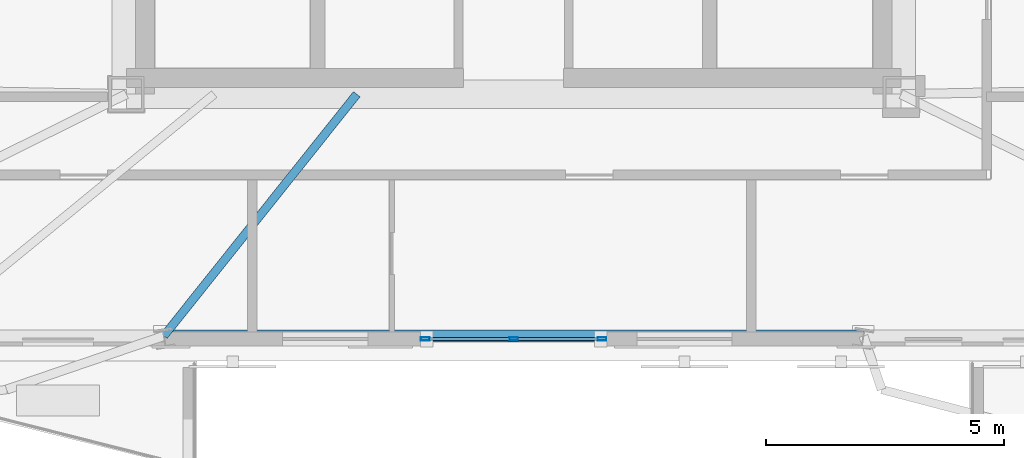
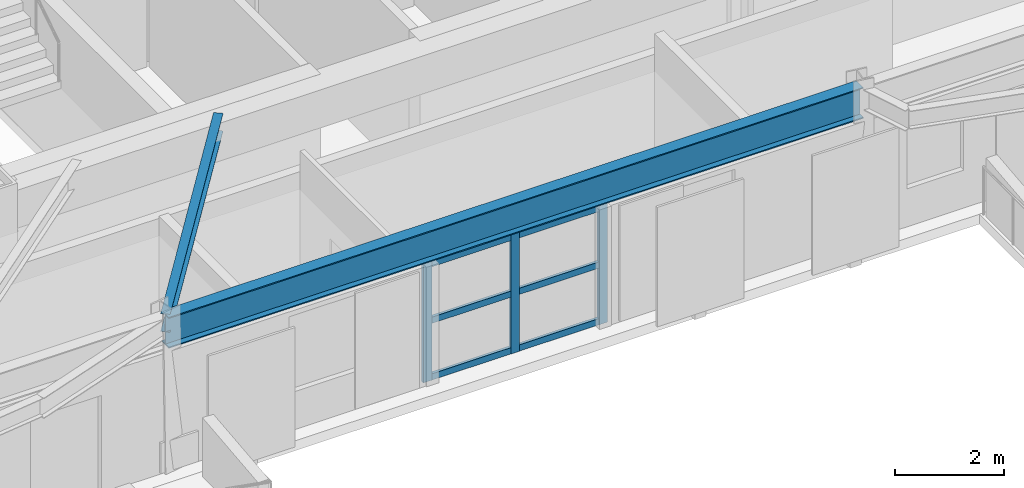
# One storey, part 2 of 12: 9 members, 2 beams, 1 element without a shape of its own.
"""IFC4 building model written with IfcOpenShell, lengths in metres."""

from ifc_helpers import new_model, si_unit, direction, frame, origin, origin_2d, place, context, subcontext, project, spatial, hollow_rectangle, i_section, extrude, material, layer, layer_set, material_profile, profile_set, type_object, element, aggregate, save


model = new_model("IFC4")

# Units and contexts
model_context = context("Model", 3, precision=1e-05, world=origin(), true_north=direction((0.0, 1.0)))
body_context = subcontext(model_context, "Body", "Model", "MODEL_VIEW")
ifc_project = project(units=[si_unit("LENGTHUNIT", "METRE"), si_unit("AREAUNIT", "SQUARE_METRE"), si_unit("VOLUMEUNIT", "CUBIC_METRE"), si_unit("PLANEANGLEUNIT", "RADIAN"), si_unit("MASSUNIT", "GRAM", prefix="KILO")], contexts=[model_context])

# Site, building, storey
site_placement = place(None, origin())
site = spatial("IfcSite", under=ifc_project, at=site_placement, CompositionType="ELEMENT")
building_placement = place(site_placement, origin())
building = spatial("IfcBuilding", under=site, at=building_placement, Name="Oramaril Tower", CompositionType="ELEMENT")
storey_placement = place(building_placement, frame((0.0, 0.0, 227.10009765625)))
storey = spatial("IfcBuildingStorey", under=building, at=storey_placement, Name="L60", CompositionType="ELEMENT", Elevation=227.10009765625)

# Beams
ifc_material_1 = material(Name="Steel ASTM A572 Gr 50", Category="steel")
ifc_material_profile_1 = material_profile(ifc_material_1, i_section(OverallWidth=0.177978515625, OverallDepth=0.404052734375, WebThickness=0.007568359375, FlangeThickness=0.010986328125, at=origin_2d()), Name="W16X36")
ifc_profile_set_1 = profile_set([ifc_material_profile_1], Name="Steel ASTM A572 Gr 50")
beam_type_1 = type_object("IfcBeamType", Name="BT-SB1", PredefinedType="BEAM", material=ifc_profile_set_1)
beam_1_placement = place(storey_placement, frame((34.199951171875, 11.0, 3.177978515625), z_axis=(-0.62376576314, -0.781611330991, 0.0), x_axis=(0.781611330991, -0.62376576314, 0.0)))
element("IfcBeam", 1, at=beam_1_placement, inside=storey, type_object=beam_type_1, Name="L60 Secondary Floor Beam SB-02", PredefinedType="BEAM", context=body_context, shape_type="SweptSolid", body=[
    extrude(i_section(OverallWidth=0.177978515625, OverallDepth=0.404052734375, WebThickness=0.007568359375, FlangeThickness=0.010986328125, at=origin_2d()), origin(), (0.0, 0.0, 1.0), 6.507080078125),
])
ifc_material_2 = material(Name="Steel ASTM A572 Gr 50", Category="steel")
ifc_material_profile_2 = material_profile(ifc_material_2, i_section(OverallWidth=0.257080078125, OverallDepth=0.693115234375, WebThickness=0.014404296875, FlangeThickness=0.023681640625, at=origin_2d()), Name="W27X114")
ifc_profile_set_2 = profile_set([ifc_material_profile_2], Name="Steel ASTM A572 Gr 50")
beam_type_2 = type_object("IfcBeamType", Name="BT-SP4", PredefinedType="SPANDREL", material=ifc_profile_set_2)
beam_2_placement = place(storey_placement, frame((30.14111328125, 5.9140625, 3.033447265625), z_axis=(1.0, 0.0, 0.0), x_axis=(0.0, 1.0, 0.0)))
element("IfcBeam", 2, at=beam_2_placement, inside=storey, type_object=beam_type_2, Name="L60 Perimeter Spandrel 04", PredefinedType="SPANDREL", context=body_context, shape_type="SweptSolid", body=[
    extrude(i_section(OverallWidth=0.257080078125, OverallDepth=0.693115234375, WebThickness=0.014404296875, FlangeThickness=0.023681640625, at=origin_2d()), origin(), (0.0, 0.0, 1.0), 14.7177734375),
])

# Curtain wall, members
ifc_material_3 = material(Name="Anodised Aluminium 6063-T6", Category="aluminium")
ifc_layer = layer(ifc_material_3, 0.179931640625)
ifc_layer_set = layer_set([ifc_layer], Name="CWT-SYS4")
curtain_wall_type = type_object("IfcCurtainWallType", Name="CWT-SYS4", PredefinedType="NOTDEFINED", material=ifc_layer_set)
curtain_wall_placement = place(storey_placement, origin())
curtain_wall = element("IfcCurtainWall", 3, at=curtain_wall_placement, inside=storey, type_object=curtain_wall_type, Name="L60 Unitised Curtain Wall CW-4", PredefinedType="NOTDEFINED")
ifc_material_4 = material(Name="Anodised Aluminium 6063-T6", Category="aluminium")
ifc_material_profile_3 = material_profile(ifc_material_4, hollow_rectangle(XDim=0.070068359375, YDim=0.179931640625, WallThickness=0.00390625, at=origin_2d()), Name="CWM180X70")
ifc_profile_set_3 = profile_set([ifc_material_profile_3], Name="Anodised Aluminium 6063-T6")
member_type_1 = type_object("IfcMemberType", Name="MT-CWM2", PredefinedType="MULLION", material=ifc_profile_set_3)
member_1_placement = place(storey_placement, frame((35.639892578125, 5.849365234375, 0.0), z_axis=(0.0, 0.0, 1.0), x_axis=(0.0, 1.0, 0.0)))
member_1 = element("IfcMember", 4, at=member_1_placement, type_object=member_type_1, Name="CW-4 mullion 1", PredefinedType="MULLION", context=body_context, shape_type="SweptSolid", body=[
    extrude(hollow_rectangle(XDim=0.070068359375, YDim=0.179931640625, WallThickness=0.00390625, at=origin_2d()), origin(), (0.0, 0.0, 1.0), 2.677001953125),
])
member_2_placement = place(storey_placement, frame((37.5, 5.849365234375, 0.0), z_axis=(0.0, 0.0, 1.0), x_axis=(0.0, 1.0, 0.0)))
member_2 = element("IfcMember", 5, at=member_2_placement, type_object=member_type_1, Name="CW-4 mullion 2", PredefinedType="MULLION", context=body_context, shape_type="SweptSolid", body=[
    extrude(hollow_rectangle(XDim=0.070068359375, YDim=0.179931640625, WallThickness=0.00390625, at=origin_2d()), origin(), (0.0, 0.0, 1.0), 2.677001953125),
])
member_3_placement = place(storey_placement, frame((39.360107421875, 5.849365234375, 0.0), z_axis=(0.0, 0.0, 1.0), x_axis=(0.0, 1.0, 0.0)))
member_3 = element("IfcMember", 6, at=member_3_placement, type_object=member_type_1, Name="CW-4 mullion 3", PredefinedType="MULLION", context=body_context, shape_type="SweptSolid", body=[
    extrude(hollow_rectangle(XDim=0.070068359375, YDim=0.179931640625, WallThickness=0.00390625, at=origin_2d()), origin(), (0.0, 0.0, 1.0), 2.677001953125),
])
ifc_material_5 = material(Name="Anodised Aluminium 6063-T6", Category="aluminium")
ifc_material_profile_4 = material_profile(ifc_material_5, hollow_rectangle(XDim=0.06494140625, YDim=0.139892578125, WallThickness=0.00390625, at=origin_2d()), Name="CWT140X65")
ifc_profile_set_4 = profile_set([ifc_material_profile_4], Name="Anodised Aluminium 6063-T6")
member_type_2 = type_object("IfcMemberType", Name="MT-CWT2", PredefinedType="USERDEFINED", material=ifc_profile_set_4)
member_4_placement = place(storey_placement, frame((35.72998046875, 5.849365234375, 0.06982421875), z_axis=(1.0, 0.0, 0.0), x_axis=(0.0, 1.0, 0.0)))
member_4 = element("IfcMember", 7, at=member_4_placement, type_object=member_type_2, Name="CW-4 transom 1.1", ObjectType="TRANSOM", PredefinedType="USERDEFINED", context=body_context, shape_type="SweptSolid", body=[
    extrude(hollow_rectangle(XDim=0.06494140625, YDim=0.139892578125, WallThickness=0.00390625, at=origin_2d()), origin(), (0.0, 0.0, 1.0), 1.679931640625),
])
member_5_placement = place(storey_placement, frame((35.72998046875, 5.849365234375, 1.33837890625), z_axis=(1.0, 0.0, 0.0), x_axis=(0.0, 1.0, 0.0)))
member_5 = element("IfcMember", 8, at=member_5_placement, type_object=member_type_2, Name="CW-4 transom 1.2", ObjectType="TRANSOM", PredefinedType="USERDEFINED", context=body_context, shape_type="SweptSolid", body=[
    extrude(hollow_rectangle(XDim=0.06494140625, YDim=0.139892578125, WallThickness=0.00390625, at=origin_2d()), origin(), (0.0, 0.0, 1.0), 1.679931640625),
])
member_6_placement = place(storey_placement, frame((35.72998046875, 5.849365234375, 2.60693359375), z_axis=(1.0, 0.0, 0.0), x_axis=(0.0, 1.0, 0.0)))
member_6 = element("IfcMember", 9, at=member_6_placement, type_object=member_type_2, Name="CW-4 transom 1.3", ObjectType="TRANSOM", PredefinedType="USERDEFINED", context=body_context, shape_type="SweptSolid", body=[
    extrude(hollow_rectangle(XDim=0.06494140625, YDim=0.139892578125, WallThickness=0.00390625, at=origin_2d()), origin(), (0.0, 0.0, 1.0), 1.679931640625),
])
member_7_placement = place(storey_placement, frame((37.590087890625, 5.849365234375, 0.06982421875), z_axis=(1.0, 0.0, 0.0), x_axis=(0.0, 1.0, 0.0)))
member_7 = element("IfcMember", 10, at=member_7_placement, type_object=member_type_2, Name="CW-4 transom 2.1", ObjectType="TRANSOM", PredefinedType="USERDEFINED", context=body_context, shape_type="SweptSolid", body=[
    extrude(hollow_rectangle(XDim=0.06494140625, YDim=0.139892578125, WallThickness=0.00390625, at=origin_2d()), origin(), (0.0, 0.0, 1.0), 1.679931640625),
])
member_8_placement = place(storey_placement, frame((37.590087890625, 5.849365234375, 1.33837890625), z_axis=(1.0, 0.0, 0.0), x_axis=(0.0, 1.0, 0.0)))
member_8 = element("IfcMember", 11, at=member_8_placement, type_object=member_type_2, Name="CW-4 transom 2.2", ObjectType="TRANSOM", PredefinedType="USERDEFINED", context=body_context, shape_type="SweptSolid", body=[
    extrude(hollow_rectangle(XDim=0.06494140625, YDim=0.139892578125, WallThickness=0.00390625, at=origin_2d()), origin(), (0.0, 0.0, 1.0), 1.679931640625),
])
member_9_placement = place(storey_placement, frame((37.590087890625, 5.849365234375, 2.60693359375), z_axis=(1.0, 0.0, 0.0), x_axis=(0.0, 1.0, 0.0)))
member_9 = element("IfcMember", 12, at=member_9_placement, type_object=member_type_2, Name="CW-4 transom 2.3", ObjectType="TRANSOM", PredefinedType="USERDEFINED", context=body_context, shape_type="SweptSolid", body=[
    extrude(hollow_rectangle(XDim=0.06494140625, YDim=0.139892578125, WallThickness=0.00390625, at=origin_2d()), origin(), (0.0, 0.0, 1.0), 1.679931640625),
])
aggregate(curtain_wall, [member_1, member_2, member_3, member_4, member_5, member_6, member_7, member_8, member_9])

save(model, "model.ifc")
